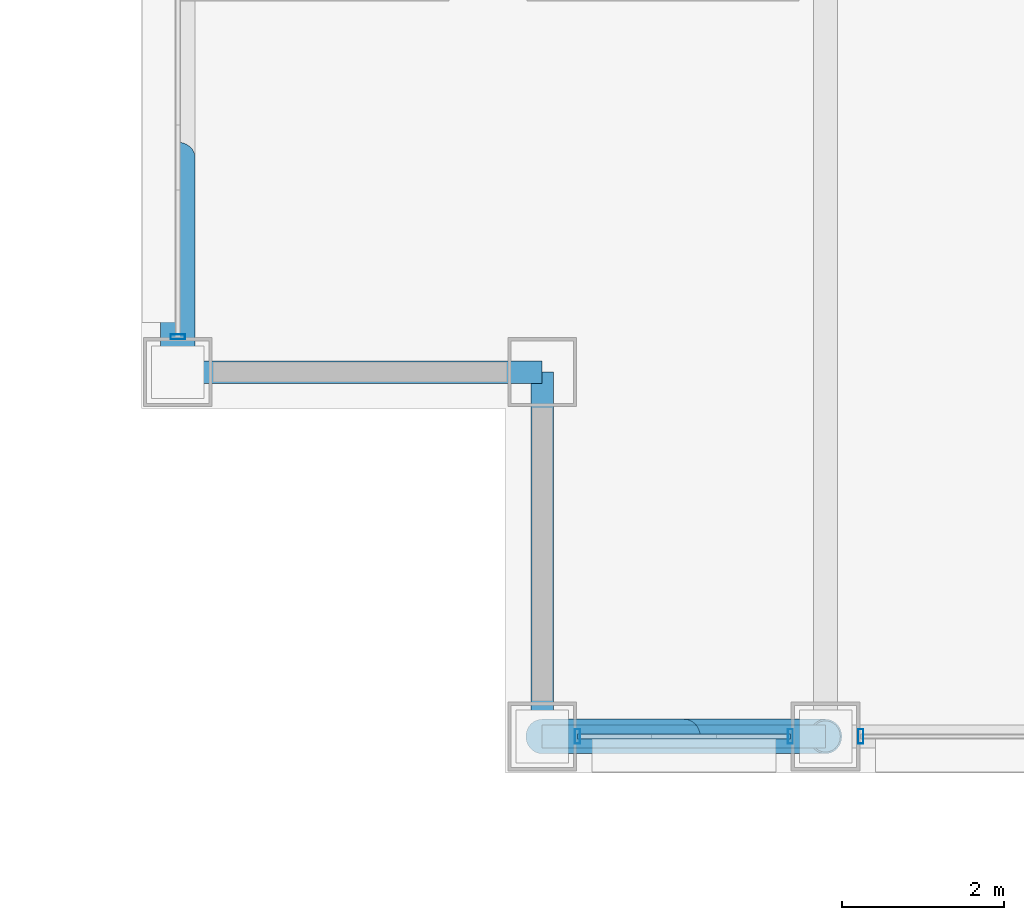
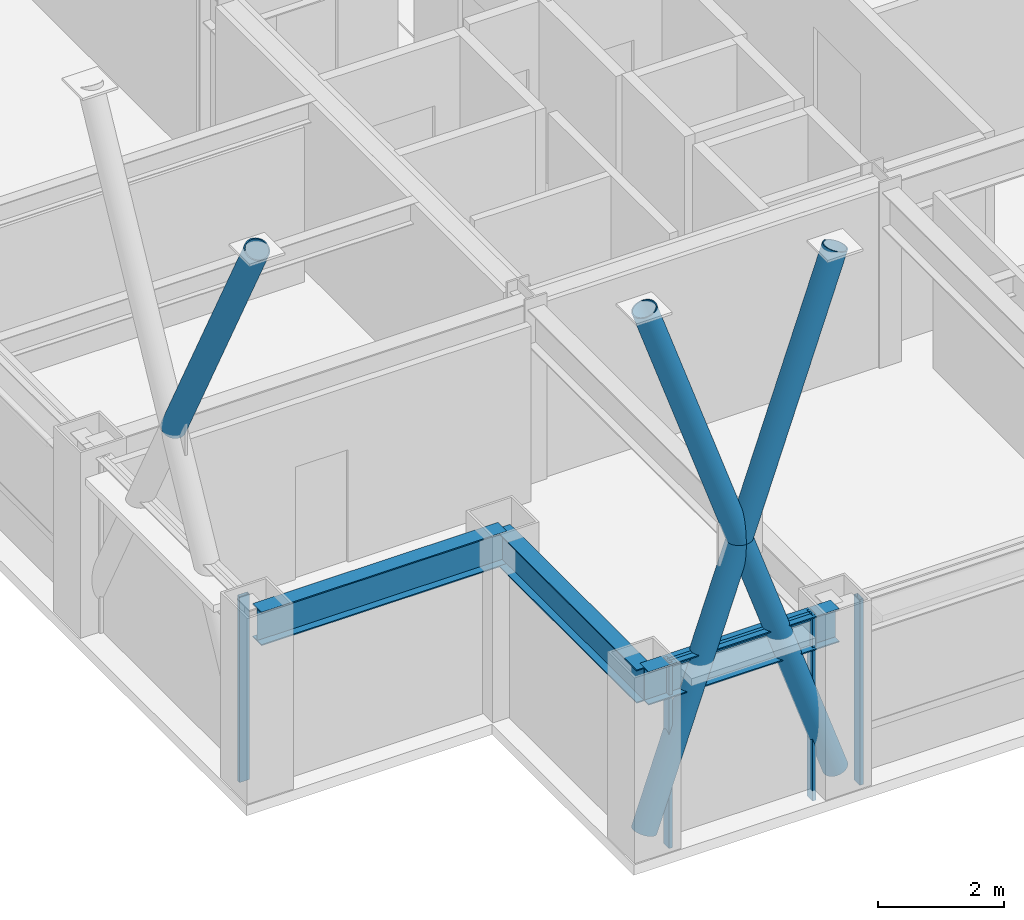
# One storey, part 2 of 34: 9 members, 3 beams, 3 elements without a shape of their own.
"""IFC4 building model written with IfcOpenShell, lengths in metres."""

from ifc_helpers import new_model, si_unit, direction, frame, origin, origin_2d, place, context, subcontext, project, spatial, hollow_rectangle, hollow_circle, i_section, extrude, material, layer, layer_set, material_profile, profile_set, type_object, element, aggregate, save


model = new_model("IFC4")

# Units and contexts
model_context = context("Model", 3, precision=1e-05, world=origin(), true_north=direction((0.0, 1.0)))
body_context = subcontext(model_context, "Body", "Model", "MODEL_VIEW")
ifc_project = project(units=[si_unit("LENGTHUNIT", "METRE"), si_unit("AREAUNIT", "SQUARE_METRE"), si_unit("VOLUMEUNIT", "CUBIC_METRE"), si_unit("PLANEANGLEUNIT", "RADIAN"), si_unit("MASSUNIT", "GRAM", prefix="KILO")], contexts=[model_context])

# Site, building, storey
site_placement = place(None, origin())
site = spatial("IfcSite", under=ifc_project, at=site_placement, CompositionType="ELEMENT")
building_placement = place(site_placement, origin())
building = spatial("IfcBuilding", under=site, at=building_placement, Name="Brelmoor Portico Tower", CompositionType="ELEMENT")
storey_placement = place(building_placement, frame((0.0, 0.0, 99.0)))
storey = spatial("IfcBuildingStorey", under=building, at=storey_placement, Name="L25", CompositionType="ELEMENT", Elevation=99.0)

# Beams
ifc_material_1 = material(Name="Steel Q355B", Category="steel")
ifc_material_profile_1 = material_profile(ifc_material_1, i_section(OverallWidth=0.280029296875, OverallDepth=0.64990234375, WebThickness=0.012939453125, FlangeThickness=0.02197265625, at=origin_2d()), Name="HN 650x280x13x22")
ifc_profile_set_1 = profile_set([ifc_material_profile_1], Name="Steel Q355B")
beam_type = type_object("IfcBeamType", Name="BM-SP-650", PredefinedType="SPANDREL", material=ifc_profile_set_1)
beam_placement = place(storey_placement, frame((-18.050048828125, -19.550048828125, 3.074951171875), z_axis=(1.0, 0.0, 0.0), x_axis=(0.0, 1.0, 0.0)))
element("IfcBeam", 1, at=beam_placement, inside=storey, type_object=beam_type, Name="L25 Perimeter Spandrel Beam SP-01", PredefinedType="SPANDREL", context=body_context, shape_type="SweptSolid", body=[
    extrude(i_section(OverallWidth=0.280029296875, OverallDepth=0.64990234375, WebThickness=0.012939453125, FlangeThickness=0.02197265625, at=origin_2d()), origin(), (0.0, 0.0, 1.0), 3.5),
])
for number, where, z_axis, x_axis, name in (
    (2, (-22.550048828125, -15.050048828125, 3.074951171875), (1.0, 0.0, 0.0), (0.0, 1.0, 0.0), "L25 Perimeter Spandrel Beam SP-06"),
    (3, (-18.050048828125, -19.550048828125, 3.074951171875), (0.0, 1.0, 0.0), (-1.0, 0.0, 0.0), "L25 Perimeter Spandrel Beam SP-18"),
):
    element("IfcBeam", number, at=place(storey_placement, frame(where, z_axis=z_axis, x_axis=x_axis)), inside=storey, type_object=beam_type, Name=name, PredefinedType="SPANDREL", context=body_context, shape_type="SweptSolid", body=[
        extrude(i_section(OverallWidth=0.280029296875, OverallDepth=0.64990234375, WebThickness=0.012939453125, FlangeThickness=0.02197265625, at=origin_2d()), origin(), (0.0, 0.0, 1.0), 4.5),
    ])

# Members
ifc_material_profile_2 = material_profile(ifc_material_1, hollow_circle(Radius=0.212890625, WallThickness=0.02001953125, at=origin_2d()), Name="CHS 426x20")
ifc_profile_set_2 = profile_set([ifc_material_profile_2], Name="Steel Q355B")
member_type_1 = type_object("IfcMemberType", Name="MB-BELT-DIAG1", PredefinedType="BRACE", material=ifc_profile_set_2)
member_1_placement = place(storey_placement, frame((-18.050048828125, -19.550048828125, 0.25), z_axis=(0.327429033028, 0.0, 0.94487577402), x_axis=(0.0, 1.0, 0.0)))
element("IfcMember", 4, at=member_1_placement, inside=storey, type_object=member_type_1, Name="L25 Continuous Mega-X Brace 050A", PredefinedType="BRACE", context=body_context, shape_type="SweptSolid", body=[
    extrude(hollow_circle(Radius=0.212890625, WallThickness=0.02001953125, at=origin_2d()), origin(), (0.0, 0.0, 1.0), 10.689453125),
])
for number, where, z_axis, x_axis, name in (
    (5, (-14.550048828125, -19.550048828125, 0.25), (-0.327429033028, 0.0, 0.94487577402), (0.0, -1.0, 0.0), "L25 Split Mega-X Brace 050B1"),
    (6, (-16.300048828125, -19.550048828125, 5.300048828125), (-0.327429033028, 0.0, 0.94487577402), (0.0, -1.0, 0.0), "L25 Split Mega-X Brace 050B2"),
):
    element("IfcMember", number, at=place(storey_placement, frame(where, z_axis=z_axis, x_axis=x_axis)), inside=storey, type_object=member_type_1, Name=name, PredefinedType="BRACE", context=body_context, shape_type="SweptSolid", body=[
        extrude(hollow_circle(Radius=0.212890625, WallThickness=0.02001953125, at=origin_2d()), origin(), (0.0, 0.0, 1.0), 5.3447265625),
    ])
member_2_placement = place(storey_placement, frame((-22.550048828125, -12.39990234375, 5.300048828125), z_axis=(0.0, -0.464678684729, 0.885479372972), x_axis=(1.0, 0.0, 0.0)))
element("IfcMember", 7, at=member_2_placement, inside=storey, type_object=member_type_1, Name="L25 Split Mega-X Brace 054B2", PredefinedType="BRACE", context=body_context, shape_type="SweptSolid", body=[
    extrude(hollow_circle(Radius=0.212890625, WallThickness=0.02001953125, at=origin_2d()), origin(), (0.0, 0.0, 1.0), 5.703125),
])

# Curtain wall, members
ifc_material_2 = material(Name="Anodised Aluminium Alloy 6063-T6", Category="aluminium")
ifc_layer_1 = layer(ifc_material_2, 0.179931640625)
ifc_layer_set_1 = layer_set([ifc_layer_1], Name="Anodised Aluminium Alloy 6063-T6")
curtain_wall_type_1 = type_object("IfcCurtainWallType", Name="CW-TOWER-Z2-XB", PredefinedType="NOTDEFINED", material=ifc_layer_set_1)
curtain_wall_1_placement = place(storey_placement, origin())
curtain_wall_1 = element("IfcCurtainWall", 8, at=curtain_wall_1_placement, inside=storey, type_object=curtain_wall_type_1, Name="L25 Curtain Wall CW-L25-1L-1", PredefinedType="NOTDEFINED")
ifc_material_profile_3 = material_profile(ifc_material_2, hollow_rectangle(XDim=0.06494140625, YDim=0.179931640625, WallThickness=0.00390625, at=origin_2d()), Name="ALU MULLION 65x180")
ifc_profile_set_3 = profile_set([ifc_material_profile_3], Name="Anodised Aluminium Alloy 6063-T6")
member_type_2 = type_object("IfcMemberType", Name="MB-CW-MULL-180", PredefinedType="MULLION", material=ifc_profile_set_3)
member_3_placement = place(storey_placement, frame((-17.614990234375, -19.550048828125, -0.199951171875), z_axis=(0.0, 0.0, 1.0), x_axis=(1.0, 0.0, 0.0)))
member_3 = element("IfcMember", 9, at=member_3_placement, type_object=member_type_2, Name="CW-L25-1L-1 Mullion 00", PredefinedType="MULLION", context=body_context, shape_type="SweptSolid", body=[
    extrude(hollow_rectangle(XDim=0.06494140625, YDim=0.179931640625, WallThickness=0.00390625, at=origin_2d()), origin(), (0.0, 0.0, 1.0), 3.599853515625),
])
member_4_placement = place(storey_placement, frame((-14.985107421875, -19.550048828125, -0.199951171875), z_axis=(0.0, 0.0, 1.0), x_axis=(1.0, 0.0, 0.0)))
member_4 = element("IfcMember", 10, at=member_4_placement, type_object=member_type_2, Name="CW-L25-1L-1 Mullion 01", PredefinedType="MULLION", context=body_context, shape_type="SweptSolid", body=[
    extrude(hollow_rectangle(XDim=0.06494140625, YDim=0.179931640625, WallThickness=0.00390625, at=origin_2d()), origin(), (0.0, 0.0, 1.0), 3.599853515625),
])

# Curtain wall, member
ifc_layer_2 = layer(ifc_material_2, 0.179931640625)
ifc_layer_set_2 = layer_set([ifc_layer_2], Name="Anodised Aluminium Alloy 6063-T6")
curtain_wall_type_2 = type_object("IfcCurtainWallType", Name="CW-TOWER-Z2", PredefinedType="NOTDEFINED", material=ifc_layer_set_2)
curtain_wall_2_placement = place(storey_placement, origin())
curtain_wall_2 = element("IfcCurtainWall", 11, at=curtain_wall_2_placement, inside=storey, type_object=curtain_wall_type_2, Name="L25 Curtain Wall CW-L25-1L-2", PredefinedType="NOTDEFINED")
member_5_placement = place(storey_placement, frame((-14.114990234375, -19.550048828125, -0.199951171875), z_axis=(0.0, 0.0, 1.0), x_axis=(1.0, 0.0, 0.0)))
member_5 = element("IfcMember", 12, at=member_5_placement, type_object=member_type_2, Name="CW-L25-1L-2 Mullion 00", PredefinedType="MULLION", context=body_context, shape_type="SweptSolid", body=[
    extrude(hollow_rectangle(XDim=0.06494140625, YDim=0.179931640625, WallThickness=0.00390625, at=origin_2d()), origin(), (0.0, 0.0, 1.0), 3.599853515625),
])
aggregate(curtain_wall_2, [member_5])

curtain_wall_3_placement = place(storey_placement, origin())
curtain_wall_3 = element("IfcCurtainWall", 13, at=curtain_wall_3_placement, inside=storey, type_object=curtain_wall_type_1, Name="L25 Curtain Wall CW-L25-3L-1", PredefinedType="NOTDEFINED")
member_6_placement = place(storey_placement, frame((-22.550048828125, -14.614990234375, -0.199951171875), z_axis=(0.0, 0.0, 1.0), x_axis=(0.0, 1.0, 0.0)))
member_6 = element("IfcMember", 14, at=member_6_placement, type_object=member_type_2, Name="CW-L25-3L-1 Mullion 00", PredefinedType="MULLION", context=body_context, shape_type="SweptSolid", body=[
    extrude(hollow_rectangle(XDim=0.06494140625, YDim=0.179931640625, WallThickness=0.00390625, at=origin_2d()), origin(), (0.0, 0.0, 1.0), 3.599853515625),
])
aggregate(curtain_wall_3, [member_6])

# Member
ifc_material_profile_4 = material_profile(ifc_material_2, hollow_rectangle(XDim=0.06494140625, YDim=0.139892578125, WallThickness=0.00390625, at=origin_2d()), Name="ALU TRANSOM 65x140")
ifc_profile_set_4 = profile_set([ifc_material_profile_4], Name="Anodised Aluminium Alloy 6063-T6")
member_type_3 = type_object("IfcMemberType", Name="MB-CW-TRAN-140", PredefinedType="USERDEFINED", material=ifc_profile_set_4)
member_7_placement = place(storey_placement, frame((-17.614990234375, -19.550048828125, 3.330078125), z_axis=(1.0, 0.0, 0.0), x_axis=(0.0, 1.0, 0.0)))
member_7 = element("IfcMember", 15, at=member_7_placement, type_object=member_type_3, Name="CW-L25-1L-1 Transom 1-00", ObjectType="TRANSOM", PredefinedType="USERDEFINED", context=body_context, shape_type="SweptSolid", body=[
    extrude(hollow_rectangle(XDim=0.06494140625, YDim=0.139892578125, WallThickness=0.00390625, at=origin_2d()), origin(), (0.0, 0.0, 1.0), 2.6298828125),
])

aggregate(curtain_wall_1, [member_3, member_4, member_7])

save(model, "model.ifc")
